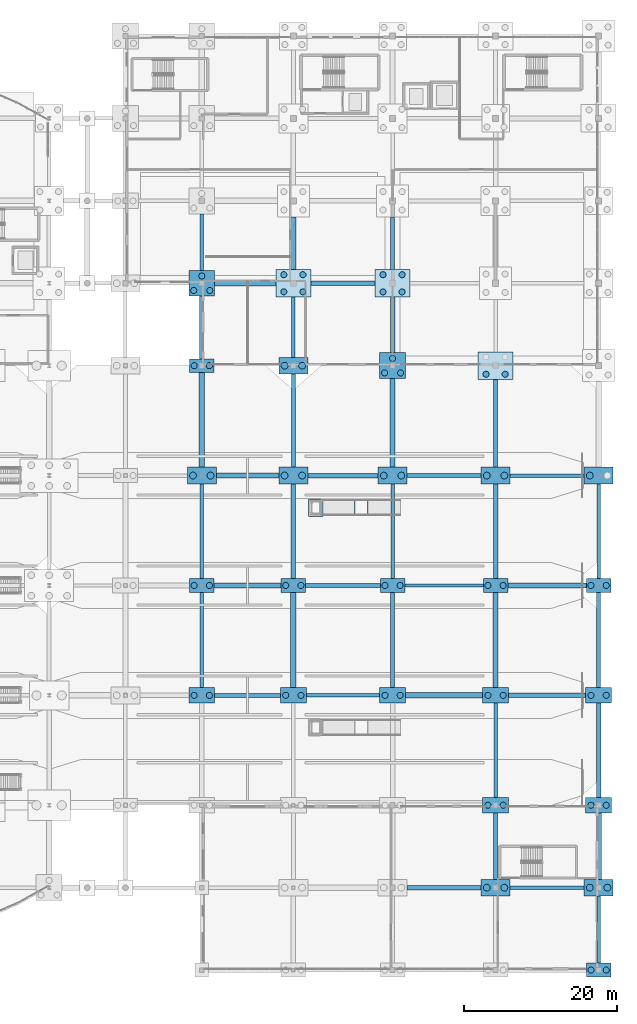
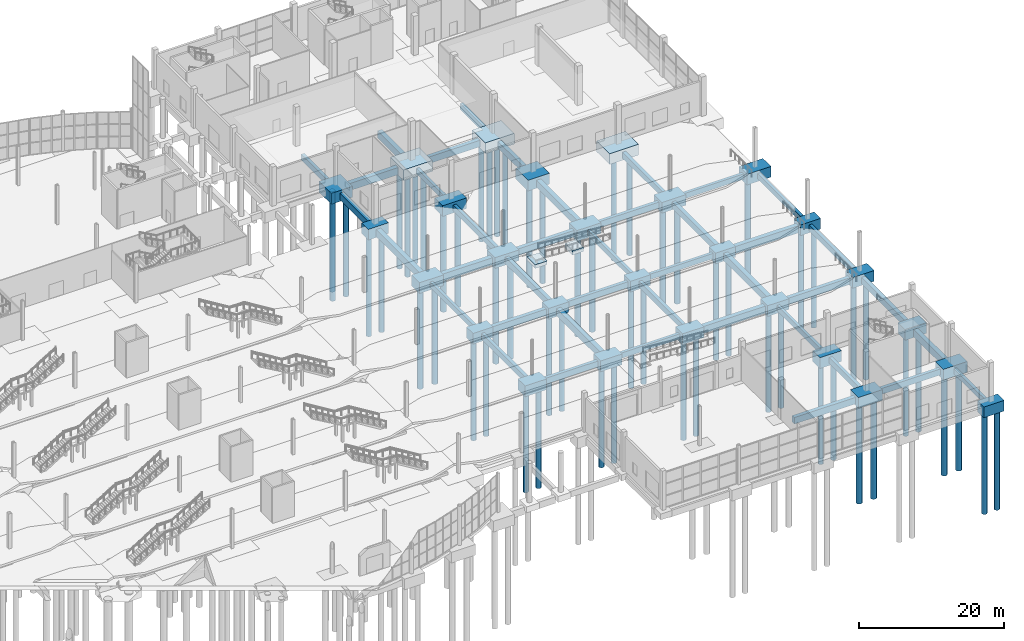
# One storey, part 7 of 115: 70 footings, 59 piles.
"""IFC4 building model written with IfcOpenShell, lengths in metres."""

from ifc_helpers import new_model, si_unit, direction, frame, origin, origin_2d, place, context, subcontext, project, spatial, rectangle, circle, extrude, material, material_profile, profile_set, type_object, element, save


model = new_model("IFC4")

# Units and contexts
model_context = context("Model", 3, precision=1e-05, world=origin(), true_north=direction((0.0, 1.0)))
body_context = subcontext(model_context, "Body", "Model", "MODEL_VIEW")
ifc_project = project(units=[si_unit("LENGTHUNIT", "METRE"), si_unit("AREAUNIT", "SQUARE_METRE"), si_unit("VOLUMEUNIT", "CUBIC_METRE"), si_unit("PLANEANGLEUNIT", "RADIAN"), si_unit("MASSUNIT", "GRAM", prefix="KILO")], contexts=[model_context])

# Site, building, storey
site_placement = place(None, origin())
site = spatial("IfcSite", under=ifc_project, at=site_placement, CompositionType="ELEMENT")
building_placement = place(site_placement, origin())
building = spatial("IfcBuilding", under=site, at=building_placement, Name="Tamarisk Ironworks Central Station", CompositionType="ELEMENT")
storey_placement = place(building_placement, origin())
storey = spatial("IfcBuildingStorey", under=building, at=storey_placement, Name="L00", CompositionType="ELEMENT", Elevation=0.0)

# Footings
ifc_material = material(Name="Concrete C40/50", Category="concrete")
footing_type_1 = type_object("IfcFootingType", Name="CAP-PC02", PredefinedType="PILE_CAP", material=ifc_material)
for number, where, z_axis, x_axis, name in (
    (1, (140.0, 90.0, -1.7998046875), (0.0, 0.0, 1.0), (1.0, 0.0, 0.0), "Pile cap V5-17H"),
    (2, (153.0, 90.0, -1.7998046875), (0.0, 0.0, 1.0), (1.0, 0.0, 0.0), "Pile cap V5-18H"),
    (3, (166.5, 79.199951171875, -1.7998046875), (0.0, 0.0, 1.0), (1.0, 0.0, 0.0), "Pile cap V5-19G"),
):
    element("IfcFooting", number, at=place(storey_placement, frame(where, z_axis=z_axis, x_axis=x_axis)), inside=storey, type_object=footing_type_1, Name=name, PredefinedType="PILE_CAP", context=body_context, shape_type="SweptSolid", body=[
        extrude(rectangle(XDim=4.60009765625, YDim=3.60009765625, at=origin_2d()), origin(), (0.0, 0.0, 1.0), 1.800048828125),
    ])
footing_type_2 = type_object("IfcFootingType", Name="CAP-PC06", PredefinedType="PILE_CAP", material=ifc_material)
for number, where, z_axis, x_axis, name in (
    (4, (128.0, 90.0, -1.7998046875), (0.0, 0.0, 1.0), (1.0, 0.0, 0.0), "Pile cap V5-16H"),
    (5, (153.0, 79.199951171875, -1.7998046875), (0.0, 0.0, 1.0), (1.0, 0.0, 0.0), "Pile cap V5-18G"),
):
    element("IfcFooting", number, at=place(storey_placement, frame(where, z_axis=z_axis, x_axis=x_axis)), inside=storey, type_object=footing_type_2, Name=name, PredefinedType="PILE_CAP", context=body_context, shape_type="SweptSolid", body=[
        extrude(rectangle(XDim=3.39990234375, YDim=3.39990234375, at=origin_2d()), origin(), (0.0, 0.0, 1.0), 1.800048828125),
    ])
footing_type_3 = type_object("IfcFootingType", Name="CAP-PC07", PredefinedType="PILE_CAP", material=ifc_material)
for number, where, z_axis, x_axis, name in (
    (6, (140.0, 79.199951171875, -1.7998046875), (0.0, 0.0, 1.0), (1.0, 0.0, 0.0), "Pile cap V5-17G"),
    (7, (166.5, 10.800048828125, -1.7998046875), (0.0, 0.0, 1.0), (1.0, 0.0, 0.0), "Pile cap V5S-19B"),
    (8, (180.0, 10.800048828125, -1.7998046875), (0.0, 0.0, 1.0), (1.0, 0.0, 0.0), "Pile cap V5S-20B"),
    (9, (128.0, 64.800048828125, -1.7998046875), (0.0, 0.0, 1.0), (1.0, 0.0, 0.0), "Pile cap V1-16F"),
    (10, (140.0, 64.800048828125, -1.7998046875), (0.0, 0.0, 1.0), (1.0, 0.0, 0.0), "Pile cap V1-17F"),
    (11, (153.0, 64.800048828125, -1.7998046875), (0.0, 0.0, 1.0), (1.0, 0.0, 0.0), "Pile cap V1-18F"),
    (12, (166.5, 64.800048828125, -1.7998046875), (0.0, 0.0, 1.0), (1.0, 0.0, 0.0), "Pile cap V1-19F"),
    (13, (180.0, 64.800048828125, -1.7998046875), (0.0, 0.0, 1.0), (1.0, 0.0, 0.0), "Pile cap V1-20F"),
):
    element("IfcFooting", number, at=place(storey_placement, frame(where, z_axis=z_axis, x_axis=x_axis)), inside=storey, type_object=footing_type_3, Name=name, PredefinedType="PILE_CAP", context=body_context, shape_type="SweptSolid", body=[
        extrude(rectangle(XDim=3.800048828125, YDim=2.199951171875, at=origin_2d()), origin(), (0.0, 0.0, 1.0), 1.800048828125),
    ])
footing_type_4 = type_object("IfcFootingType", Name="CAP-PC08", PredefinedType="PILE_CAP", material=ifc_material)
for number, where, z_axis, x_axis, name in (
    (14, (166.5, 21.60009765625, -1.7998046875), (0.0, 0.0, 1.0), (1.0, 0.0, 0.0), "Pile cap V5S-19C"),
    (15, (180.0, 21.60009765625, -1.7998046875), (0.0, 0.0, 1.0), (1.0, 0.0, 0.0), "Pile cap V5S-20C"),
    (16, (128.0, 36.0, -1.7998046875), (0.0, 0.0, 1.0), (1.0, 0.0, 0.0), "Pile cap V1-16D"),
    (17, (140.0, 36.0, -1.7998046875), (0.0, 0.0, 1.0), (1.0, 0.0, 0.0), "Pile cap V1-17D"),
    (18, (153.0, 36.0, -1.7998046875), (0.0, 0.0, 1.0), (1.0, 0.0, 0.0), "Pile cap V1-18D"),
    (19, (166.5, 36.0, -1.7998046875), (0.0, 0.0, 1.0), (1.0, 0.0, 0.0), "Pile cap V1-19D"),
    (20, (180.0, 36.0, -1.7998046875), (0.0, 0.0, 1.0), (1.0, 0.0, 0.0), "Pile cap V1-20D"),
):
    element("IfcFooting", number, at=place(storey_placement, frame(where, z_axis=z_axis, x_axis=x_axis)), inside=storey, type_object=footing_type_4, Name=name, PredefinedType="PILE_CAP", context=body_context, shape_type="SweptSolid", body=[
        extrude(rectangle(XDim=3.39990234375, YDim=2.0, at=origin_2d()), origin(), (0.0, 0.0, 1.0), 1.800048828125),
    ])
footing_type_5 = type_object("IfcFootingType", Name="CAP-PC09", PredefinedType="PILE_CAP", material=ifc_material)
for number, where, z_axis, x_axis, name in (
    (21, (128.0, 79.199951171875, -1.7998046875), (0.0, 0.0, 1.0), (1.0, 0.0, 0.0), "Pile cap V5-16G"),
    (22, (180.0, 0.0, -1.7998046875), (0.0, 0.0, 1.0), (1.0, 0.0, 0.0), "Pile cap V5S-20A"),
    (23, (128.0, 50.39990234375, -1.7998046875), (0.0, 0.0, 1.0), (1.0, 0.0, 0.0), "Pile cap V1-16E"),
    (24, (140.0, 50.39990234375, -1.7998046875), (0.0, 0.0, 1.0), (1.0, 0.0, 0.0), "Pile cap V1-17E"),
    (25, (153.0, 50.39990234375, -1.7998046875), (0.0, 0.0, 1.0), (1.0, 0.0, 0.0), "Pile cap V1-18E"),
    (26, (166.5, 50.39990234375, -1.7998046875), (0.0, 0.0, 1.0), (1.0, 0.0, 0.0), "Pile cap V1-19E"),
    (27, (180.0, 50.39990234375, -1.7998046875), (0.0, 0.0, 1.0), (1.0, 0.0, 0.0), "Pile cap V1-20E"),
):
    element("IfcFooting", number, at=place(storey_placement, frame(where, z_axis=z_axis, x_axis=x_axis)), inside=storey, type_object=footing_type_5, Name=name, PredefinedType="PILE_CAP", context=body_context, shape_type="SweptSolid", body=[
        extrude(rectangle(XDim=3.199951171875, YDim=1.800048828125, at=origin_2d()), origin(), (0.0, 0.0, 1.0), 1.800048828125),
    ])
ifc_material_profile_1 = material_profile(ifc_material, rectangle(XDim=0.699951171875, YDim=1.199951171875, at=origin_2d()), Name="GB01 700x1200")
ifc_profile_set_1 = profile_set([ifc_material_profile_1], Name="Concrete C40/50")
footing_type_6 = type_object("IfcFootingType", Name="GB-01", PredefinedType="FOOTING_BEAM", material=ifc_profile_set_1)
footing_1_placement = place(storey_placement, frame((154.699951171875, 36.0, -1.050048828125), z_axis=(1.0, 0.0, 0.0), x_axis=(0.0, 1.0, 0.0)))
element("IfcFooting", 28, at=footing_1_placement, inside=storey, type_object=footing_type_6, Name="Ground tie beam GB-X-041", PredefinedType="FOOTING_BEAM", context=body_context, shape_type="SweptSolid", body=[
    extrude(rectangle(XDim=0.699951171875, YDim=1.199951171875, at=origin_2d()), origin(), (0.0, 0.0, 1.0), 10.10009765625),
])
footing_2_placement = place(storey_placement, frame((168.10009765625, 50.39990234375, -1.050048828125), z_axis=(1.0, 0.0, 0.0), x_axis=(0.0, 1.0, 0.0)))
element("IfcFooting", 29, at=footing_2_placement, inside=storey, type_object=footing_type_6, Name="Ground tie beam GB-X-057", PredefinedType="FOOTING_BEAM", context=body_context, shape_type="SweptSolid", body=[
    extrude(rectangle(XDim=0.699951171875, YDim=1.199951171875, at=origin_2d()), origin(), (0.0, 0.0, 1.0), 10.2998046875),
])
footing_3_placement = place(storey_placement, frame((129.89990234375, 64.800048828125, -1.050048828125), z_axis=(1.0, 0.0, 0.0), x_axis=(0.0, 1.0, 0.0)))
element("IfcFooting", 30, at=footing_3_placement, inside=storey, type_object=footing_type_6, Name="Ground tie beam GB-X-069", PredefinedType="FOOTING_BEAM", context=body_context, shape_type="SweptSolid", body=[
    extrude(rectangle(XDim=0.699951171875, YDim=1.199951171875, at=origin_2d()), origin(), (0.0, 0.0, 1.0), 8.2001953125),
])
footing_4_placement = place(storey_placement, frame((129.699951171875, 90.0, -1.050048828125), z_axis=(1.0, 0.0, 0.0), x_axis=(0.0, 1.0, 0.0)))
element("IfcFooting", 31, at=footing_4_placement, inside=storey, type_object=footing_type_6, Name="Ground tie beam GB-X-085", PredefinedType="FOOTING_BEAM", context=body_context, shape_type="SweptSolid", body=[
    extrude(rectangle(XDim=0.699951171875, YDim=1.199951171875, at=origin_2d()), origin(), (0.0, 0.0, 1.0), 8.0),
])
footing_5_placement = place(storey_placement, frame((128.0, 65.89990234375, -1.050048828125), z_axis=(0.0, 1.0, 0.0), x_axis=(-1.0, 0.0, 0.0)))
element("IfcFooting", 32, at=footing_5_placement, inside=storey, type_object=footing_type_6, Name="Ground tie beam GB-Y-245", PredefinedType="FOOTING_BEAM", context=body_context, shape_type="SweptSolid", body=[
    extrude(rectangle(XDim=0.699951171875, YDim=1.199951171875, at=origin_2d()), origin(), (0.0, 0.0, 1.0), 12.400146484375),
])
footing_6_placement = place(storey_placement, frame((140.0, 37.0, -1.050048828125), z_axis=(0.0, 1.0, 0.0), x_axis=(-1.0, 0.0, 0.0)))
element("IfcFooting", 33, at=footing_6_placement, inside=storey, type_object=footing_type_6, Name="Ground tie beam GB-Y-253", PredefinedType="FOOTING_BEAM", context=body_context, shape_type="SweptSolid", body=[
    extrude(rectangle(XDim=0.699951171875, YDim=1.199951171875, at=origin_2d()), origin(), (0.0, 0.0, 1.0), 12.5),
])
footing_7_placement = place(storey_placement, frame((140.0, 91.800048828125, -1.050048828125), z_axis=(0.0, 1.0, 0.0), x_axis=(-1.0, 0.0, 0.0)))
element("IfcFooting", 34, at=footing_7_placement, inside=storey, type_object=footing_type_6, Name="Ground tie beam GB-Y-257", PredefinedType="FOOTING_BEAM", context=body_context, shape_type="SweptSolid", body=[
    extrude(rectangle(XDim=0.699951171875, YDim=1.199951171875, at=origin_2d()), origin(), (0.0, 0.0, 1.0), 6.89990234375),
])
footing_8_placement = place(storey_placement, frame((153.0, 65.89990234375, -1.050048828125), z_axis=(0.0, 1.0, 0.0), x_axis=(-1.0, 0.0, 0.0)))
element("IfcFooting", 35, at=footing_8_placement, inside=storey, type_object=footing_type_6, Name="Ground tie beam GB-Y-265", PredefinedType="FOOTING_BEAM", context=body_context, shape_type="SweptSolid", body=[
    extrude(rectangle(XDim=0.699951171875, YDim=1.199951171875, at=origin_2d()), origin(), (0.0, 0.0, 1.0), 11.60009765625),
])
footing_9_placement = place(storey_placement, frame((166.5, 37.0, -1.050048828125), z_axis=(0.0, 1.0, 0.0), x_axis=(-1.0, 0.0, 0.0)))
element("IfcFooting", 36, at=footing_9_placement, inside=storey, type_object=footing_type_6, Name="Ground tie beam GB-Y-273", PredefinedType="FOOTING_BEAM", context=body_context, shape_type="SweptSolid", body=[
    extrude(rectangle(XDim=0.699951171875, YDim=1.199951171875, at=origin_2d()), origin(), (0.0, 0.0, 1.0), 12.5),
])
footing_10_placement = place(storey_placement, frame((180.0, 11.89990234375, -1.050048828125), z_axis=(0.0, 1.0, 0.0), x_axis=(-1.0, 0.0, 0.0)))
element("IfcFooting", 37, at=footing_10_placement, inside=storey, type_object=footing_type_6, Name="Ground tie beam GB-Y-281", PredefinedType="FOOTING_BEAM", context=body_context, shape_type="SweptSolid", body=[
    extrude(rectangle(XDim=0.699951171875, YDim=1.199951171875, at=origin_2d()), origin(), (0.0, 0.0, 1.0), 8.7001953125),
])
ifc_material_profile_2 = material_profile(ifc_material, rectangle(XDim=0.60009765625, YDim=1.10009765625, at=origin_2d()), Name="GB02 600x1100")
ifc_profile_set_2 = profile_set([ifc_material_profile_2], Name="Concrete C40/50")
footing_type_7 = type_object("IfcFootingType", Name="GB-02", PredefinedType="FOOTING_BEAM", material=ifc_profile_set_2)
footing_11_placement = place(storey_placement, frame((154.89990234375, 10.800048828125, -1.0), z_axis=(1.0, 0.0, 0.0), x_axis=(0.0, 1.0, 0.0)))
element("IfcFooting", 38, at=footing_11_placement, inside=storey, type_object=footing_type_7, Name="Ground tie beam GB-X-026", PredefinedType="FOOTING_BEAM", context=body_context, shape_type="SweptSolid", body=[
    extrude(rectangle(XDim=0.60009765625, YDim=1.10009765625, at=origin_2d()), origin(), (0.0, 0.0, 1.0), 9.7001953125),
])
footing_12_placement = place(storey_placement, frame((168.199951171875, 36.0, -1.0), z_axis=(1.0, 0.0, 0.0), x_axis=(0.0, 1.0, 0.0)))
element("IfcFooting", 39, at=footing_12_placement, inside=storey, type_object=footing_type_7, Name="Ground tie beam GB-X-042", PredefinedType="FOOTING_BEAM", context=body_context, shape_type="SweptSolid", body=[
    extrude(rectangle(XDim=0.60009765625, YDim=1.10009765625, at=origin_2d()), origin(), (0.0, 0.0, 1.0), 10.10009765625),
])
footing_13_placement = place(storey_placement, frame((129.60009765625, 50.39990234375, -1.0), z_axis=(1.0, 0.0, 0.0), x_axis=(0.0, 1.0, 0.0)))
element("IfcFooting", 40, at=footing_13_placement, inside=storey, type_object=footing_type_7, Name="Ground tie beam GB-X-054", PredefinedType="FOOTING_BEAM", context=body_context, shape_type="SweptSolid", body=[
    extrude(rectangle(XDim=0.60009765625, YDim=1.10009765625, at=origin_2d()), origin(), (0.0, 0.0, 1.0), 8.7998046875),
])
footing_14_placement = place(storey_placement, frame((141.89990234375, 64.800048828125, -1.0), z_axis=(1.0, 0.0, 0.0), x_axis=(0.0, 1.0, 0.0)))
element("IfcFooting", 41, at=footing_14_placement, inside=storey, type_object=footing_type_7, Name="Ground tie beam GB-X-070", PredefinedType="FOOTING_BEAM", context=body_context, shape_type="SweptSolid", body=[
    extrude(rectangle(XDim=0.60009765625, YDim=1.10009765625, at=origin_2d()), origin(), (0.0, 0.0, 1.0), 9.2001953125),
])
footing_15_placement = place(storey_placement, frame((142.300048828125, 90.0, -1.0), z_axis=(1.0, 0.0, 0.0), x_axis=(0.0, 1.0, 0.0)))
element("IfcFooting", 42, at=footing_15_placement, inside=storey, type_object=footing_type_7, Name="Ground tie beam GB-X-086", PredefinedType="FOOTING_BEAM", context=body_context, shape_type="SweptSolid", body=[
    extrude(rectangle(XDim=0.60009765625, YDim=1.10009765625, at=origin_2d()), origin(), (0.0, 0.0, 1.0), 8.39990234375),
])
footing_16_placement = place(storey_placement, frame((128.0, 80.10009765625, -1.0), z_axis=(0.0, 1.0, 0.0), x_axis=(-1.0, 0.0, 0.0)))
element("IfcFooting", 43, at=footing_16_placement, inside=storey, type_object=footing_type_7, Name="Ground tie beam GB-Y-246", PredefinedType="FOOTING_BEAM", context=body_context, shape_type="SweptSolid", body=[
    extrude(rectangle(XDim=0.60009765625, YDim=1.10009765625, at=origin_2d()), origin(), (0.0, 0.0, 1.0), 8.199951171875),
])
footing_17_placement = place(storey_placement, frame((140.0, 51.300048828125, -1.0), z_axis=(0.0, 1.0, 0.0), x_axis=(-1.0, 0.0, 0.0)))
element("IfcFooting", 44, at=footing_17_placement, inside=storey, type_object=footing_type_7, Name="Ground tie beam GB-Y-254", PredefinedType="FOOTING_BEAM", context=body_context, shape_type="SweptSolid", body=[
    extrude(rectangle(XDim=0.60009765625, YDim=1.10009765625, at=origin_2d()), origin(), (0.0, 0.0, 1.0), 12.39990234375),
])
footing_18_placement = place(storey_placement, frame((153.0, 80.89990234375, -1.0), z_axis=(0.0, 1.0, 0.0), x_axis=(-1.0, 0.0, 0.0)))
element("IfcFooting", 45, at=footing_18_placement, inside=storey, type_object=footing_type_7, Name="Ground tie beam GB-Y-266", PredefinedType="FOOTING_BEAM", context=body_context, shape_type="SweptSolid", body=[
    extrude(rectangle(XDim=0.60009765625, YDim=1.10009765625, at=origin_2d()), origin(), (0.0, 0.0, 1.0), 7.300048828125),
])
for number, where, z_axis, x_axis, name in (
    (46, (166.5, 51.300048828125, -1.0), (0.0, 1.0, 0.0), (-1.0, 0.0, 0.0), "Ground tie beam GB-Y-274"),
    (47, (180.0, 22.60009765625, -1.0), (0.0, 1.0, 0.0), (-1.0, 0.0, 0.0), "Ground tie beam GB-Y-282"),
):
    element("IfcFooting", number, at=place(storey_placement, frame(where, z_axis=z_axis, x_axis=x_axis)), inside=storey, type_object=footing_type_7, Name=name, PredefinedType="FOOTING_BEAM", context=body_context, shape_type="SweptSolid", body=[
        extrude(rectangle(XDim=0.60009765625, YDim=1.10009765625, at=origin_2d()), origin(), (0.0, 0.0, 1.0), 12.39990234375),
    ])
ifc_material_profile_3 = material_profile(ifc_material, rectangle(XDim=0.5, YDim=1.0, at=origin_2d()), Name="GB03 500x1000")
ifc_profile_set_3 = profile_set([ifc_material_profile_3], Name="Concrete C40/50")
footing_type_8 = type_object("IfcFootingType", Name="GB-03", PredefinedType="FOOTING_BEAM", material=ifc_profile_set_3)
footing_19_placement = place(storey_placement, frame((168.39990234375, 10.800048828125, -0.949951171875), z_axis=(1.0, 0.0, 0.0), x_axis=(0.0, 1.0, 0.0)))
element("IfcFooting", 48, at=footing_19_placement, inside=storey, type_object=footing_type_8, Name="Ground tie beam GB-X-027", PredefinedType="FOOTING_BEAM", context=body_context, shape_type="SweptSolid", body=[
    extrude(rectangle(XDim=0.5, YDim=1.0, at=origin_2d()), origin(), (0.0, 0.0, 1.0), 9.7001953125),
])
footing_20_placement = place(storey_placement, frame((129.699951171875, 36.0, -0.949951171875), z_axis=(1.0, 0.0, 0.0), x_axis=(0.0, 1.0, 0.0)))
element("IfcFooting", 49, at=footing_20_placement, inside=storey, type_object=footing_type_8, Name="Ground tie beam GB-X-039", PredefinedType="FOOTING_BEAM", context=body_context, shape_type="SweptSolid", body=[
    extrude(rectangle(XDim=0.5, YDim=1.0, at=origin_2d()), origin(), (0.0, 0.0, 1.0), 8.60009765625),
])
footing_21_placement = place(storey_placement, frame((141.60009765625, 50.39990234375, -0.949951171875), z_axis=(1.0, 0.0, 0.0), x_axis=(0.0, 1.0, 0.0)))
element("IfcFooting", 50, at=footing_21_placement, inside=storey, type_object=footing_type_8, Name="Ground tie beam GB-X-055", PredefinedType="FOOTING_BEAM", context=body_context, shape_type="SweptSolid", body=[
    extrude(rectangle(XDim=0.5, YDim=1.0, at=origin_2d()), origin(), (0.0, 0.0, 1.0), 9.7998046875),
])
footing_22_placement = place(storey_placement, frame((154.89990234375, 64.800048828125, -0.949951171875), z_axis=(1.0, 0.0, 0.0), x_axis=(0.0, 1.0, 0.0)))
element("IfcFooting", 51, at=footing_22_placement, inside=storey, type_object=footing_type_8, Name="Ground tie beam GB-X-071", PredefinedType="FOOTING_BEAM", context=body_context, shape_type="SweptSolid", body=[
    extrude(rectangle(XDim=0.5, YDim=1.0, at=origin_2d()), origin(), (0.0, 0.0, 1.0), 9.7001953125),
])
footing_23_placement = place(storey_placement, frame((128.0, 37.0, -0.949951171875), z_axis=(0.0, 1.0, 0.0), x_axis=(-1.0, 0.0, 0.0)))
element("IfcFooting", 52, at=footing_23_placement, inside=storey, type_object=footing_type_8, Name="Ground tie beam GB-Y-243", PredefinedType="FOOTING_BEAM", context=body_context, shape_type="SweptSolid", body=[
    extrude(rectangle(XDim=0.5, YDim=1.0, at=origin_2d()), origin(), (0.0, 0.0, 1.0), 12.5),
])
footing_24_placement = place(storey_placement, frame((128.0, 91.699951171875, -0.949951171875), z_axis=(0.0, 1.0, 0.0), x_axis=(-1.0, 0.0, 0.0)))
element("IfcFooting", 53, at=footing_24_placement, inside=storey, type_object=footing_type_8, Name="Ground tie beam GB-Y-247", PredefinedType="FOOTING_BEAM", context=body_context, shape_type="SweptSolid", body=[
    extrude(rectangle(XDim=0.5, YDim=1.0, at=origin_2d()), origin(), (0.0, 0.0, 1.0), 7.400146484375),
])
footing_25_placement = place(storey_placement, frame((140.0, 65.89990234375, -0.949951171875), z_axis=(0.0, 1.0, 0.0), x_axis=(-1.0, 0.0, 0.0)))
element("IfcFooting", 54, at=footing_25_placement, inside=storey, type_object=footing_type_8, Name="Ground tie beam GB-Y-255", PredefinedType="FOOTING_BEAM", context=body_context, shape_type="SweptSolid", body=[
    extrude(rectangle(XDim=0.5, YDim=1.0, at=origin_2d()), origin(), (0.0, 0.0, 1.0), 12.2001953125),
])
footing_26_placement = place(storey_placement, frame((153.0, 37.0, -0.949951171875), z_axis=(0.0, 1.0, 0.0), x_axis=(-1.0, 0.0, 0.0)))
element("IfcFooting", 55, at=footing_26_placement, inside=storey, type_object=footing_type_8, Name="Ground tie beam GB-Y-263", PredefinedType="FOOTING_BEAM", context=body_context, shape_type="SweptSolid", body=[
    extrude(rectangle(XDim=0.5, YDim=1.0, at=origin_2d()), origin(), (0.0, 0.0, 1.0), 12.5),
])
footing_27_placement = place(storey_placement, frame((153.0, 91.800048828125, -0.949951171875), z_axis=(0.0, 1.0, 0.0), x_axis=(-1.0, 0.0, 0.0)))
element("IfcFooting", 56, at=footing_27_placement, inside=storey, type_object=footing_type_8, Name="Ground tie beam GB-Y-267", PredefinedType="FOOTING_BEAM", context=body_context, shape_type="SweptSolid", body=[
    extrude(rectangle(XDim=0.5, YDim=1.0, at=origin_2d()), origin(), (0.0, 0.0, 1.0), 6.89990234375),
])
footing_28_placement = place(storey_placement, frame((166.5, 11.89990234375, -0.949951171875), z_axis=(0.0, 1.0, 0.0), x_axis=(-1.0, 0.0, 0.0)))
element("IfcFooting", 57, at=footing_28_placement, inside=storey, type_object=footing_type_8, Name="Ground tie beam GB-Y-271", PredefinedType="FOOTING_BEAM", context=body_context, shape_type="SweptSolid", body=[
    extrude(rectangle(XDim=0.5, YDim=1.0, at=origin_2d()), origin(), (0.0, 0.0, 1.0), 8.7001953125),
])
footing_29_placement = place(storey_placement, frame((166.5, 65.89990234375, -0.949951171875), z_axis=(0.0, 1.0, 0.0), x_axis=(-1.0, 0.0, 0.0)))
element("IfcFooting", 58, at=footing_29_placement, inside=storey, type_object=footing_type_8, Name="Ground tie beam GB-Y-275", PredefinedType="FOOTING_BEAM", context=body_context, shape_type="SweptSolid", body=[
    extrude(rectangle(XDim=0.5, YDim=1.0, at=origin_2d()), origin(), (0.0, 0.0, 1.0), 11.5),
])
footing_30_placement = place(storey_placement, frame((180.0, 37.0, -0.949951171875), z_axis=(0.0, 1.0, 0.0), x_axis=(-1.0, 0.0, 0.0)))
element("IfcFooting", 59, at=footing_30_placement, inside=storey, type_object=footing_type_8, Name="Ground tie beam GB-Y-283", PredefinedType="FOOTING_BEAM", context=body_context, shape_type="SweptSolid", body=[
    extrude(rectangle(XDim=0.5, YDim=1.0, at=origin_2d()), origin(), (0.0, 0.0, 1.0), 12.5),
])
ifc_material_profile_4 = material_profile(ifc_material, rectangle(XDim=0.449951171875, YDim=0.89990234375, at=origin_2d()), Name="GB04 450x900")
ifc_profile_set_4 = profile_set([ifc_material_profile_4], Name="Concrete C40/50")
footing_type_9 = type_object("IfcFootingType", Name="GB-04", PredefinedType="FOOTING_BEAM", material=ifc_profile_set_4)
footing_31_placement = place(storey_placement, frame((141.699951171875, 36.0, -0.89990234375), z_axis=(1.0, 0.0, 0.0), x_axis=(0.0, 1.0, 0.0)))
element("IfcFooting", 60, at=footing_31_placement, inside=storey, type_object=footing_type_9, Name="Ground tie beam GB-X-040", PredefinedType="FOOTING_BEAM", context=body_context, shape_type="SweptSolid", body=[
    extrude(rectangle(XDim=0.449951171875, YDim=0.89990234375, at=origin_2d()), origin(), (0.0, 0.0, 1.0), 9.60009765625),
])
footing_32_placement = place(storey_placement, frame((154.60009765625, 50.39990234375, -0.89990234375), z_axis=(1.0, 0.0, 0.0), x_axis=(0.0, 1.0, 0.0)))
element("IfcFooting", 61, at=footing_32_placement, inside=storey, type_object=footing_type_9, Name="Ground tie beam GB-X-056", PredefinedType="FOOTING_BEAM", context=body_context, shape_type="SweptSolid", body=[
    extrude(rectangle(XDim=0.449951171875, YDim=0.89990234375, at=origin_2d()), origin(), (0.0, 0.0, 1.0), 10.2998046875),
])
footing_33_placement = place(storey_placement, frame((168.39990234375, 64.800048828125, -0.89990234375), z_axis=(1.0, 0.0, 0.0), x_axis=(0.0, 1.0, 0.0)))
element("IfcFooting", 62, at=footing_33_placement, inside=storey, type_object=footing_type_9, Name="Ground tie beam GB-X-072", PredefinedType="FOOTING_BEAM", context=body_context, shape_type="SweptSolid", body=[
    extrude(rectangle(XDim=0.449951171875, YDim=0.89990234375, at=origin_2d()), origin(), (0.0, 0.0, 1.0), 9.7001953125),
])
footing_34_placement = place(storey_placement, frame((128.0, 51.300048828125, -0.89990234375), z_axis=(0.0, 1.0, 0.0), x_axis=(-1.0, 0.0, 0.0)))
element("IfcFooting", 63, at=footing_34_placement, inside=storey, type_object=footing_type_9, Name="Ground tie beam GB-Y-244", PredefinedType="FOOTING_BEAM", context=body_context, shape_type="SweptSolid", body=[
    extrude(rectangle(XDim=0.449951171875, YDim=0.89990234375, at=origin_2d()), origin(), (0.0, 0.0, 1.0), 12.39990234375),
])
footing_35_placement = place(storey_placement, frame((140.0, 80.300048828125, -0.89990234375), z_axis=(0.0, 1.0, 0.0), x_axis=(-1.0, 0.0, 0.0)))
element("IfcFooting", 64, at=footing_35_placement, inside=storey, type_object=footing_type_9, Name="Ground tie beam GB-Y-256", PredefinedType="FOOTING_BEAM", context=body_context, shape_type="SweptSolid", body=[
    extrude(rectangle(XDim=0.449951171875, YDim=0.89990234375, at=origin_2d()), origin(), (0.0, 0.0, 1.0), 7.89990234375),
])
for number, where, z_axis, x_axis, name in (
    (65, (153.0, 51.300048828125, -0.89990234375), (0.0, 1.0, 0.0), (-1.0, 0.0, 0.0), "Ground tie beam GB-Y-264"),
    (66, (166.5, 22.60009765625, -0.89990234375), (0.0, 1.0, 0.0), (-1.0, 0.0, 0.0), "Ground tie beam GB-Y-272"),
):
    element("IfcFooting", number, at=place(storey_placement, frame(where, z_axis=z_axis, x_axis=x_axis)), inside=storey, type_object=footing_type_9, Name=name, PredefinedType="FOOTING_BEAM", context=body_context, shape_type="SweptSolid", body=[
        extrude(rectangle(XDim=0.449951171875, YDim=0.89990234375, at=origin_2d()), origin(), (0.0, 0.0, 1.0), 12.39990234375),
    ])
footing_36_placement = place(storey_placement, frame((180.0, 0.89990234375, -0.89990234375), z_axis=(0.0, 1.0, 0.0), x_axis=(-1.0, 0.0, 0.0)))
element("IfcFooting", 67, at=footing_36_placement, inside=storey, type_object=footing_type_9, Name="Ground tie beam GB-Y-280", PredefinedType="FOOTING_BEAM", context=body_context, shape_type="SweptSolid", body=[
    extrude(rectangle(XDim=0.449951171875, YDim=0.89990234375, at=origin_2d()), origin(), (0.0, 0.0, 1.0), 8.800048828125),
])
footing_37_placement = place(storey_placement, frame((180.0, 51.300048828125, -0.89990234375), z_axis=(0.0, 1.0, 0.0), x_axis=(-1.0, 0.0, 0.0)))
element("IfcFooting", 68, at=footing_37_placement, inside=storey, type_object=footing_type_9, Name="Ground tie beam GB-Y-284", PredefinedType="FOOTING_BEAM", context=body_context, shape_type="SweptSolid", body=[
    extrude(rectangle(XDim=0.449951171875, YDim=0.89990234375, at=origin_2d()), origin(), (0.0, 0.0, 1.0), 12.39990234375),
])
footing_type_10 = type_object("IfcFootingType", Name="PAD-PF01", PredefinedType="PAD_FOOTING", material=ifc_material)
footing_38_placement = place(storey_placement, frame((142.9599609375, 60.60009765625, -0.60009765625), z_axis=(0.0, 0.0, 1.0), x_axis=(1.0, 0.0, 0.0)))
element("IfcFooting", 69, at=footing_38_placement, inside=storey, type_object=footing_type_10, Name="RMP-P4E arrival landing pad footing", PredefinedType="PAD_FOOTING", context=body_context, shape_type="SweptSolid", body=[
    extrude(rectangle(XDim=1.89990234375, YDim=2.280029296875, at=origin_2d()), origin(), (0.0, 0.0, 1.0), 0.60009765625),
])
footing_type_11 = type_object("IfcFootingType", Name="PAD-PF02", PredefinedType="PAD_FOOTING", material=ifc_material)
footing_39_placement = place(storey_placement, frame((148.8798828125, 60.60009765625, -0.5), z_axis=(0.0, 0.0, 1.0), x_axis=(1.0, 0.0, 0.0)))
element("IfcFooting", 70, at=footing_39_placement, inside=storey, type_object=footing_type_11, Name="RMP-P4E mid-landing plinth footing", PredefinedType="PAD_FOOTING", context=body_context, shape_type="SweptSolid", body=[
    extrude(rectangle(XDim=1.760009765625, YDim=2.080078125, at=origin_2d()), origin(), (0.0, 0.0, 1.0), 0.699951171875),
])

# Piles
ifc_material_profile_5 = material_profile(ifc_material, circle(Radius=0.39990234375, at=origin_2d()), Name="BORED PILE D800")
ifc_profile_set_5 = profile_set([ifc_material_profile_5], Name="Concrete C40/50")
pile_type_1 = type_object("IfcPileType", Name="PILE-D800", PredefinedType="BORED", material=ifc_profile_set_5)
for number, where, z_axis, x_axis, name in (
    (71, (127.0, 79.199951171875, -1.64990234375), (0.0, 0.0, -1.0), (1.0, 0.0, 0.0), "Bored pile V5-16G-1"),
    (72, (129.0, 79.199951171875, -1.64990234375), (0.0, 0.0, -1.0), (1.0, 0.0, 0.0), "Bored pile V5-16G-2"),
    (73, (126.949951171875, 89.050048828125, -1.64990234375), (0.0, 0.0, -1.0), (1.0, 0.0, 0.0), "Bored pile V5-16H-1"),
    (74, (129.050048828125, 89.050048828125, -1.64990234375), (0.0, 0.0, -1.0), (1.0, 0.0, 0.0), "Bored pile V5-16H-2"),
    (75, (128.0, 90.949951171875, -1.64990234375), (0.0, 0.0, -1.0), (1.0, 0.0, 0.0), "Bored pile V5-16H-3"),
    (76, (138.75, 88.8798828125, -1.64990234375), (0.0, 0.0, -1.0), (1.0, 0.0, 0.0), "Bored pile V5-17H-1"),
    (77, (141.25, 88.8798828125, -1.64990234375), (0.0, 0.0, -1.0), (1.0, 0.0, 0.0), "Bored pile V5-17H-2"),
    (78, (138.75, 91.1201171875, -1.64990234375), (0.0, 0.0, -1.0), (1.0, 0.0, 0.0), "Bored pile V5-17H-3"),
    (79, (141.25, 91.1201171875, -1.64990234375), (0.0, 0.0, -1.0), (1.0, 0.0, 0.0), "Bored pile V5-17H-4"),
    (80, (151.949951171875, 78.25, -1.64990234375), (0.0, 0.0, -1.0), (1.0, 0.0, 0.0), "Bored pile V5-18G-1"),
    (81, (154.050048828125, 78.25, -1.64990234375), (0.0, 0.0, -1.0), (1.0, 0.0, 0.0), "Bored pile V5-18G-2"),
    (82, (153.0, 80.14990234375, -1.64990234375), (0.0, 0.0, -1.0), (1.0, 0.0, 0.0), "Bored pile V5-18G-3"),
    (83, (151.75, 88.8798828125, -1.64990234375), (0.0, 0.0, -1.0), (1.0, 0.0, 0.0), "Bored pile V5-18H-1"),
    (84, (154.25, 88.8798828125, -1.64990234375), (0.0, 0.0, -1.0), (1.0, 0.0, 0.0), "Bored pile V5-18H-2"),
    (85, (151.75, 91.1201171875, -1.64990234375), (0.0, 0.0, -1.0), (1.0, 0.0, 0.0), "Bored pile V5-18H-3"),
    (86, (154.25, 91.1201171875, -1.64990234375), (0.0, 0.0, -1.0), (1.0, 0.0, 0.0), "Bored pile V5-18H-4"),
    (87, (165.25, 78.080078125, -1.64990234375), (0.0, 0.0, -1.0), (1.0, 0.0, 0.0), "Bored pile V5-19G-1"),
    (88, (167.75, 78.080078125, -1.64990234375), (0.0, 0.0, -1.0), (1.0, 0.0, 0.0), "Bored pile V5-19G-2"),
    (89, (165.5, 21.60009765625, -1.64990234375), (0.0, 0.0, -1.0), (1.0, 0.0, 0.0), "Bored pile V5S-19C-1"),
    (90, (167.5, 21.60009765625, -1.64990234375), (0.0, 0.0, -1.0), (1.0, 0.0, 0.0), "Bored pile V5S-19C-2"),
    (91, (179.0, 0.0, -1.64990234375), (0.0, 0.0, -1.0), (1.0, 0.0, 0.0), "Bored pile V5S-20A-1"),
    (92, (181.0, 0.0, -1.64990234375), (0.0, 0.0, -1.0), (1.0, 0.0, 0.0), "Bored pile V5S-20A-2"),
    (93, (179.0, 21.60009765625, -1.64990234375), (0.0, 0.0, -1.0), (1.0, 0.0, 0.0), "Bored pile V5S-20C-1"),
    (94, (181.0, 21.60009765625, -1.64990234375), (0.0, 0.0, -1.0), (1.0, 0.0, 0.0), "Bored pile V5S-20C-2"),
    (95, (127.0, 36.0, -1.64990234375), (0.0, 0.0, -1.0), (1.0, 0.0, 0.0), "Bored pile V1-16D-1"),
    (96, (129.0, 36.0, -1.64990234375), (0.0, 0.0, -1.0), (1.0, 0.0, 0.0), "Bored pile V1-16D-2"),
    (97, (127.0, 50.39990234375, -1.64990234375), (0.0, 0.0, -1.0), (1.0, 0.0, 0.0), "Bored pile V1-16E-1"),
    (98, (129.0, 50.39990234375, -1.64990234375), (0.0, 0.0, -1.0), (1.0, 0.0, 0.0), "Bored pile V1-16E-2"),
    (99, (139.0, 36.0, -1.64990234375), (0.0, 0.0, -1.0), (1.0, 0.0, 0.0), "Bored pile V1-17D-1"),
    (100, (141.0, 36.0, -1.64990234375), (0.0, 0.0, -1.0), (1.0, 0.0, 0.0), "Bored pile V1-17D-2"),
    (101, (139.0, 50.39990234375, -1.64990234375), (0.0, 0.0, -1.0), (1.0, 0.0, 0.0), "Bored pile V1-17E-1"),
    (102, (141.0, 50.39990234375, -1.64990234375), (0.0, 0.0, -1.0), (1.0, 0.0, 0.0), "Bored pile V1-17E-2"),
    (103, (152.0, 36.0, -1.64990234375), (0.0, 0.0, -1.0), (1.0, 0.0, 0.0), "Bored pile V1-18D-1"),
    (104, (154.0, 36.0, -1.64990234375), (0.0, 0.0, -1.0), (1.0, 0.0, 0.0), "Bored pile V1-18D-2"),
    (105, (152.0, 50.39990234375, -1.64990234375), (0.0, 0.0, -1.0), (1.0, 0.0, 0.0), "Bored pile V1-18E-1"),
    (106, (154.0, 50.39990234375, -1.64990234375), (0.0, 0.0, -1.0), (1.0, 0.0, 0.0), "Bored pile V1-18E-2"),
    (107, (165.5, 36.0, -1.64990234375), (0.0, 0.0, -1.0), (1.0, 0.0, 0.0), "Bored pile V1-19D-1"),
    (108, (167.5, 36.0, -1.64990234375), (0.0, 0.0, -1.0), (1.0, 0.0, 0.0), "Bored pile V1-19D-2"),
    (109, (165.5, 50.39990234375, -1.64990234375), (0.0, 0.0, -1.0), (1.0, 0.0, 0.0), "Bored pile V1-19E-1"),
    (110, (167.5, 50.39990234375, -1.64990234375), (0.0, 0.0, -1.0), (1.0, 0.0, 0.0), "Bored pile V1-19E-2"),
    (111, (179.0, 36.0, -1.64990234375), (0.0, 0.0, -1.0), (1.0, 0.0, 0.0), "Bored pile V1-20D-1"),
    (112, (181.0, 36.0, -1.64990234375), (0.0, 0.0, -1.0), (1.0, 0.0, 0.0), "Bored pile V1-20D-2"),
    (113, (179.0, 50.39990234375, -1.64990234375), (0.0, 0.0, -1.0), (1.0, 0.0, 0.0), "Bored pile V1-20E-1"),
    (114, (181.0, 50.39990234375, -1.64990234375), (0.0, 0.0, -1.0), (1.0, 0.0, 0.0), "Bored pile V1-20E-2"),
):
    element("IfcPile", number, at=place(storey_placement, frame(where, z_axis=z_axis, x_axis=x_axis)), inside=storey, type_object=pile_type_1, Name=name, PredefinedType="BORED", context=body_context, shape_type="SweptSolid", body=[
        extrude(circle(Radius=0.39990234375, at=origin_2d()), origin(), (0.0, 0.0, 1.0), 16.85009765625),
    ])
ifc_material_profile_6 = material_profile(ifc_material, circle(Radius=0.449951171875, at=origin_2d()), Name="BORED PILE D900")
ifc_profile_set_6 = profile_set([ifc_material_profile_6], Name="Concrete C40/50")
pile_type_2 = type_object("IfcPileType", Name="PILE-D900", PredefinedType="BORED", material=ifc_profile_set_6)
for number, where, z_axis, x_axis, name in (
    (115, (138.85009765625, 79.199951171875, -1.64990234375), (0.0, 0.0, -1.0), (1.0, 0.0, 0.0), "Bored pile V5-17G-1"),
    (116, (141.14990234375, 79.199951171875, -1.64990234375), (0.0, 0.0, -1.0), (1.0, 0.0, 0.0), "Bored pile V5-17G-2"),
    (117, (165.35009765625, 10.800048828125, -1.64990234375), (0.0, 0.0, -1.0), (1.0, 0.0, 0.0), "Bored pile V5S-19B-1"),
    (118, (167.64990234375, 10.800048828125, -1.64990234375), (0.0, 0.0, -1.0), (1.0, 0.0, 0.0), "Bored pile V5S-19B-2"),
    (119, (178.85009765625, 10.800048828125, -1.64990234375), (0.0, 0.0, -1.0), (1.0, 0.0, 0.0), "Bored pile V5S-20B-1"),
    (120, (181.14990234375, 10.800048828125, -1.64990234375), (0.0, 0.0, -1.0), (1.0, 0.0, 0.0), "Bored pile V5S-20B-2"),
    (121, (126.85009765625, 64.800048828125, -1.64990234375), (0.0, 0.0, -1.0), (1.0, 0.0, 0.0), "Bored pile V1-16F-1"),
    (122, (129.14990234375, 64.800048828125, -1.64990234375), (0.0, 0.0, -1.0), (1.0, 0.0, 0.0), "Bored pile V1-16F-2"),
    (123, (138.85009765625, 64.800048828125, -1.64990234375), (0.0, 0.0, -1.0), (1.0, 0.0, 0.0), "Bored pile V1-17F-1"),
    (124, (141.14990234375, 64.800048828125, -1.64990234375), (0.0, 0.0, -1.0), (1.0, 0.0, 0.0), "Bored pile V1-17F-2"),
    (125, (151.85009765625, 64.800048828125, -1.64990234375), (0.0, 0.0, -1.0), (1.0, 0.0, 0.0), "Bored pile V1-18F-1"),
    (126, (154.14990234375, 64.800048828125, -1.64990234375), (0.0, 0.0, -1.0), (1.0, 0.0, 0.0), "Bored pile V1-18F-2"),
    (127, (165.35009765625, 64.800048828125, -1.64990234375), (0.0, 0.0, -1.0), (1.0, 0.0, 0.0), "Bored pile V1-19F-1"),
    (128, (167.64990234375, 64.800048828125, -1.64990234375), (0.0, 0.0, -1.0), (1.0, 0.0, 0.0), "Bored pile V1-19F-2"),
    (129, (178.85009765625, 64.800048828125, -1.64990234375), (0.0, 0.0, -1.0), (1.0, 0.0, 0.0), "Bored pile V1-20F-1"),
):
    element("IfcPile", number, at=place(storey_placement, frame(where, z_axis=z_axis, x_axis=x_axis)), inside=storey, type_object=pile_type_2, Name=name, PredefinedType="BORED", context=body_context, shape_type="SweptSolid", body=[
        extrude(circle(Radius=0.449951171875, at=origin_2d()), origin(), (0.0, 0.0, 1.0), 16.85009765625),
    ])

save(model, "model.ifc")
